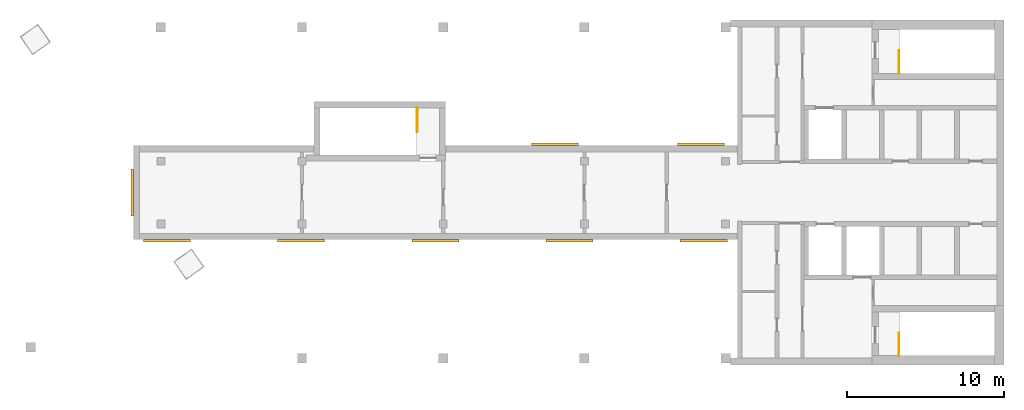
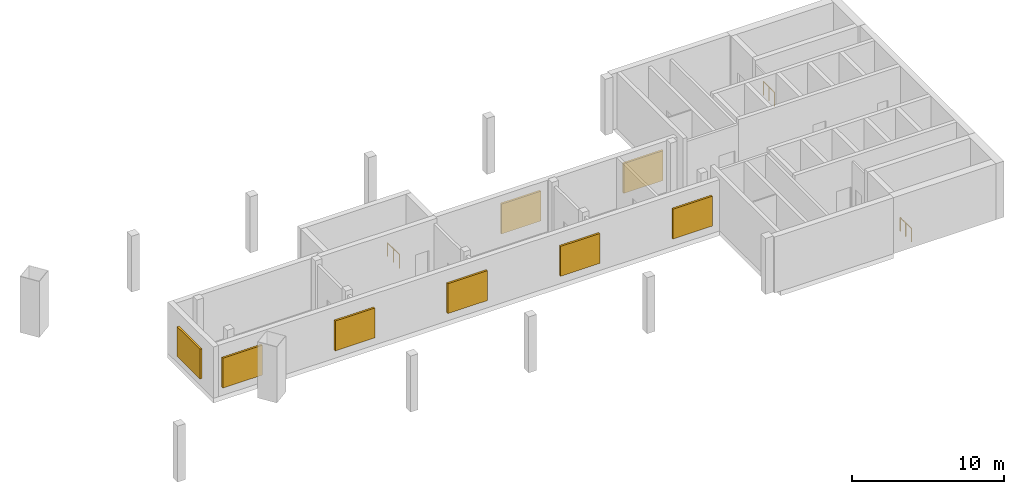
# One storey, part 3 of 3: 8 coverings, 3 railings.
"""IFC4 building model written with IfcOpenShell, lengths in metres."""

from ifc_helpers import new_model, si_unit, direction, frame, origin, origin_2d, place, context, subcontext, project, spatial, rectangle, circle, extrude, material, material_profile, profile_set, type_object, element, save


model = new_model("IFC4")

# Units and contexts
model_context = context("Model", 3, precision=1e-05, world=origin(), true_north=direction((0.0, 1.0)))
body_context = subcontext(model_context, "Body", "Model", "MODEL_VIEW")
ifc_project = project(units=[si_unit("LENGTHUNIT", "METRE"), si_unit("AREAUNIT", "SQUARE_METRE"), si_unit("VOLUMEUNIT", "CUBIC_METRE"), si_unit("PLANEANGLEUNIT", "RADIAN"), si_unit("MASSUNIT", "GRAM", prefix="KILO")], contexts=[model_context])

# Site, building, storey
site_placement = place(None, origin())
site = spatial("IfcSite", under=ifc_project, at=site_placement, CompositionType="ELEMENT")
building_placement = place(site_placement, origin())
building = spatial("IfcBuilding", under=site, at=building_placement, Name="Skarvind Civic Tower", CompositionType="ELEMENT")
storey_placement = place(building_placement, frame((0.0, 0.0, 295.5)))
storey = spatial("IfcBuildingStorey", under=building, at=storey_placement, Name="L70", CompositionType="ELEMENT", Elevation=295.5)

# Coverings
ifc_material_1 = material(Name="Anodised aluminium louvre", Category="aluminium")
ifc_material_profile = material_profile(ifc_material_1, rectangle(XDim=3.0, YDim=2.39990234375, at=origin_2d()), Name="LOUVRE 3000 x 2400")
ifc_profile_set = profile_set([ifc_material_profile], Name="Anodised aluminium louvre")
covering_type = type_object("IfcCoveringType", Name="LV1 PLANT LOUVRE 150", PredefinedType="CLADDING", material=ifc_profile_set)
for number, where, z_axis, x_axis, name in (
    (1, (52.5, 128.0, 1.89990234375), (-1.0, 0.0, 0.0), (0.0, -1.0, 0.0), "PLANT LOUVRE"),
    (2, (88.861083984375, 125.0, 1.89990234375), (0.0, -1.0, 0.0), (1.0, 0.0, 0.0), "PLANT LOUVRE"),
    (3, (80.305419921875, 125.0, 1.89990234375), (0.0, -1.0, 0.0), (1.0, 0.0, 0.0), "PLANT LOUVRE"),
    (4, (71.75, 125.0, 1.89990234375), (0.0, -1.0, 0.0), (1.0, 0.0, 0.0), "PLANT LOUVRE"),
    (5, (63.1943359375, 125.0, 1.89990234375), (0.0, -1.0, 0.0), (1.0, 0.0, 0.0), "PLANT LOUVRE"),
    (6, (54.638916015625, 125.0, 1.89990234375), (0.0, -1.0, 0.0), (1.0, 0.0, 0.0), "PLANT LOUVRE"),
    (7, (79.375, 131.0, 1.89990234375), (0.0, 1.0, 0.0), (-1.0, 0.0, 0.0), "PLANT LOUVRE"),
    (8, (88.675048828125, 131.0, 1.89990234375), (0.0, 1.0, 0.0), (-1.0, 0.0, 0.0), "PLANT LOUVRE"),
):
    element("IfcCovering", number, at=place(storey_placement, frame(where, z_axis=z_axis, x_axis=x_axis)), inside=storey, type_object=covering_type, Name=name, PredefinedType="CLADDING", context=body_context, shape_type="SweptSolid", body=[
        extrude(rectangle(XDim=3.0, YDim=2.39990234375, at=origin_2d()), origin(), (0.0, 0.0, 1.0), 0.14990234375),
    ])

# Railings
ifc_material_2 = material(Name="Painted steel balustrade", Category="steel")
railing_type = type_object("IfcRailingType", Name="Stair guard 1100", PredefinedType="GUARDRAIL", material=ifc_material_2)
for number, where, name in (
    (9, (101.300048828125, 135.60009765625, 0.0), "Stair guard"),
    (10, (101.300048828125, 117.60009765625, 0.0), "Stair guard"),
):
    element("IfcRailing", number, at=place(storey_placement, frame(where)), inside=storey, type_object=railing_type, Name=name, PredefinedType="GUARDRAIL", context=body_context, shape_type="SweptSolid", body=[
        extrude(circle(Radius=0.02392578125, at=origin_2d()), frame((0.0, 0.0, 1.076171875), z_axis=(0.0, 1.0, 0.0), x_axis=(-1.0, 0.0, 0.0)), (0.0, 0.0, 1.0), 1.449951171875),
        extrude(circle(Radius=0.02099609375, at=origin_2d()), origin(), (0.0, 0.0, 1.0), 1.052001953125),
        extrude(circle(Radius=0.02099609375, at=origin_2d()), frame((0.0, 0.72509765625, 0.0)), (0.0, 0.0, 1.0), 1.052001953125),
        extrude(circle(Radius=0.02099609375, at=origin_2d()), frame((0.0, 1.449951171875, 0.0)), (0.0, 0.0, 1.0), 1.052001953125),
    ])
railing_placement = place(storey_placement, frame((70.60009765625, 133.39990234375, 0.0)))
element("IfcRailing", 11, at=railing_placement, inside=storey, type_object=railing_type, Name="Stair guard", PredefinedType="GUARDRAIL", context=body_context, shape_type="SweptSolid", body=[
    extrude(circle(Radius=0.02392578125, at=origin_2d()), frame((0.0, 0.0, 1.076171875), z_axis=(0.0, -1.0, 0.0), x_axis=(1.0, 0.0, 0.0)), (0.0, 0.0, 1.0), 1.5498046875),
    extrude(circle(Radius=0.02099609375, at=origin_2d()), origin(), (0.0, 0.0, 1.0), 1.052001953125),
    extrude(circle(Radius=0.02099609375, at=origin_2d()), frame((0.0, -0.77490234375, 0.0)), (0.0, 0.0, 1.0), 1.052001953125),
    extrude(circle(Radius=0.02099609375, at=origin_2d()), frame((0.0, -1.5498046875, 0.0)), (0.0, 0.0, 1.0), 1.052001953125),
])

save(model, "model.ifc")
